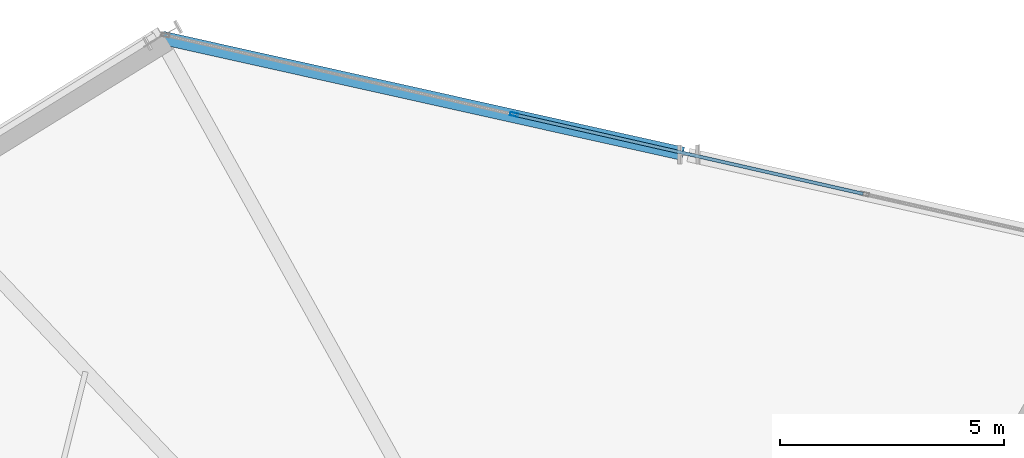
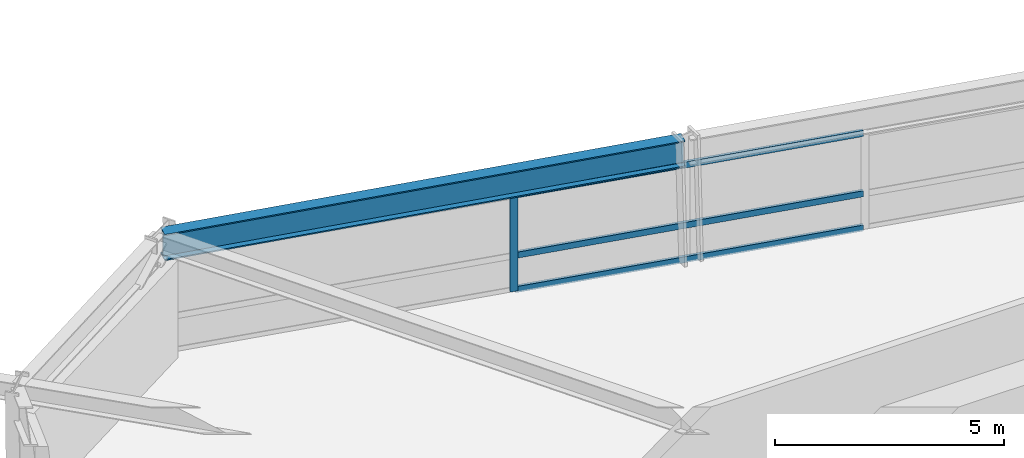
# One storey, part 10 of 23: 4 members, 1 beam, 1 element without a shape of its own.
"""IFC4 building model written with IfcOpenShell, lengths in metres."""

from ifc_helpers import new_model, si_unit, direction, frame, origin, origin_2d, place, context, subcontext, project, spatial, hollow_rectangle, i_section, extrude, source, transform, mapped, material, material_profile, profile_set, type_object, element, aggregate, save


model = new_model("IFC4")

# Units and contexts
model_context = context("Model", 3, precision=1e-05, world=origin(), true_north=direction((0.0, 1.0)))
body_context = subcontext(model_context, "Body", "Model", "MODEL_VIEW")
ifc_project = project(units=[si_unit("LENGTHUNIT", "METRE"), si_unit("AREAUNIT", "SQUARE_METRE"), si_unit("VOLUMEUNIT", "CUBIC_METRE"), si_unit("PLANEANGLEUNIT", "RADIAN"), si_unit("MASSUNIT", "GRAM", prefix="KILO")], contexts=[model_context])

# Site, building, storey
site_placement = place(None, origin())
site = spatial("IfcSite", under=ifc_project, at=site_placement, CompositionType="ELEMENT")
building_placement = place(site_placement, origin())
building = spatial("IfcBuilding", under=site, at=building_placement, Name="Olszyna Solenne Hotel", CompositionType="ELEMENT")
storey_placement = place(building_placement, frame((0.0, 0.0, 32.85009765625)))
storey = spatial("IfcBuildingStorey", under=building, at=storey_placement, Name="L07", CompositionType="ELEMENT", Elevation=32.85009765625)

# Beam
ifc_material_1 = material(Name="Steel S355J2", Category="steel")
ifc_material_profile_1 = material_profile(ifc_material_1, i_section(OverallWidth=0.300048828125, OverallDepth=0.699951171875, WebThickness=0.01708984375, FlangeThickness=0.031982421875, at=origin_2d()), Name="HEB 700", Category="load-bearing")
ifc_profile_set_1 = profile_set([ifc_material_profile_1], Name="Steel S355J2")
beam_type = type_object("IfcBeamType", Name="BM-S1", PredefinedType="BEAM", material=ifc_profile_set_1)
shared_shape_1 = source(origin(), body_context, "Body", "SweptSolid", [
    extrude(i_section(OverallWidth=0.300048828125, OverallDepth=0.699951171875, WebThickness=0.01708984375, FlangeThickness=0.031982421875, at=origin_2d()), origin(), (0.0, 0.0, 1.0), 11.89599609375),
])
beam_placement = place(storey_placement, frame((37.6962890625, 45.590087890625, 2.949951171875), z_axis=(-0.97609183643, 0.21735852147, 0.0), x_axis=(-0.21735852147, -0.97609183643, 0.0)))
element("IfcBeam", 1, at=beam_placement, inside=storey, type_object=beam_type, Name="Perimeter spandrel beam BM-S1 B-L07-0234", PredefinedType="BEAM", context=body_context, shape_type="MappedRepresentation", body=[
    mapped(shared_shape_1, transform((0.0, 0.0, 0.0), x_axis=(1.0, 0.0, 0.0), y_axis=(0.0, 1.0, 0.0), z_axis=(0.0, 0.0, 1.0), scale=1.0)),
])

# Curtain wall, members
ifc_material_2 = material(Name="Anodised bronze aluminium", Category="aluminium")
curtain_wall_type = type_object("IfcCurtainWallType", Name="CW-SYS-2", PredefinedType="NOTDEFINED", material=ifc_material_2)
curtain_wall_placement = place(storey_placement, origin())
curtain_wall = element("IfcCurtainWall", 2, at=curtain_wall_placement, inside=storey, type_object=curtain_wall_type, Name="Unitised curtain wall CW-SYS-2 CW-L07-02", PredefinedType="NOTDEFINED")
ifc_material_profile_2 = material_profile(ifc_material_2, hollow_rectangle(XDim=0.074951171875, YDim=0.179931640625, WallThickness=0.00439453125, at=origin_2d()), Name="MULL 180x75x4.5", Category="load-bearing")
ifc_profile_set_2 = profile_set([ifc_material_profile_2], Name="Anodised bronze aluminium")
member_type_1 = type_object("IfcMemberType", Name="CW-M2", PredefinedType="MULLION", material=ifc_profile_set_2)
shared_shape_2 = source(origin(), body_context, "Body", "SweptSolid", [
    extrude(hollow_rectangle(XDim=0.074951171875, YDim=0.179931640625, WallThickness=0.00439453125, at=origin_2d()), origin(), (0.0, 0.0, 1.0), 2.591796875),
])
member_1_placement = place(storey_placement, frame((33.931884765625, 46.465576171875, 0.0), z_axis=(0.0, 0.0, 1.0), x_axis=(0.221622002849, 0.975132651414, 0.0)))
member_1 = element("IfcMember", 3, at=member_1_placement, type_object=member_type_1, Name="Curtain-wall mullion CW-M2 CM-L07-02-02", PredefinedType="MULLION", context=body_context, shape_type="MappedRepresentation", body=[
    mapped(shared_shape_2, transform((0.0, 0.0, 0.0), x_axis=(1.0, 0.0, 0.0), y_axis=(0.0, 1.0, 0.0), z_axis=(0.0, 0.0, 1.0), scale=1.0)),
])
ifc_material_profile_3 = material_profile(ifc_material_2, hollow_rectangle(XDim=0.074951171875, YDim=0.159912109375, WallThickness=0.00390625, at=origin_2d()), Name="TRAN 160x75x4", Category="load-bearing")
ifc_profile_set_3 = profile_set([ifc_material_profile_3], Name="Anodised bronze aluminium")
member_type_2 = type_object("IfcMemberType", Name="CW-T1", PredefinedType="USERDEFINED", material=ifc_profile_set_3)
shared_shape_3 = source(origin(), body_context, "Body", "SweptSolid", [
    extrude(hollow_rectangle(XDim=0.074951171875, YDim=0.159912109375, WallThickness=0.00390625, at=origin_2d()), origin(), (0.0, 0.0, 1.0), 7.935546875),
])
member_2_placement = place(storey_placement, frame((33.968505859375, 46.457275390625, 0.037353515625), z_axis=(0.975130438044, -0.221631741408, 0.0), x_axis=(0.221631741408, 0.975130438044, 0.0)))
member_2 = element("IfcMember", 4, at=member_2_placement, type_object=member_type_2, Name="Curtain-wall transom CW-T1 CT-L07-02-04", ObjectType="TRANSOM", PredefinedType="USERDEFINED", context=body_context, shape_type="MappedRepresentation", body=[
    mapped(shared_shape_3, transform((0.0, 0.0, 0.0), x_axis=(1.0, 0.0, 0.0), y_axis=(0.0, 1.0, 0.0), z_axis=(0.0, 0.0, 1.0), scale=1.0)),
])
member_3_placement = place(storey_placement, frame((33.968505859375, 46.457275390625, 0.949951171875), z_axis=(0.975130438044, -0.221631741408, 0.0), x_axis=(0.221631741408, 0.975130438044, 0.0)))
member_3 = element("IfcMember", 5, at=member_3_placement, type_object=member_type_2, Name="Curtain-wall transom CW-T1 CT-L07-02-05", ObjectType="TRANSOM", PredefinedType="USERDEFINED", context=body_context, shape_type="MappedRepresentation", body=[
    mapped(shared_shape_3, transform((0.0, 0.0, 0.0), x_axis=(1.0, 0.0, 0.0), y_axis=(0.0, 1.0, 0.0), z_axis=(0.0, 0.0, 1.0), scale=1.0)),
])
member_4_placement = place(storey_placement, frame((33.968505859375, 46.457275390625, 2.554443359375), z_axis=(0.975130438044, -0.221631741408, 0.0), x_axis=(0.221631741408, 0.975130438044, 0.0)))
member_4 = element("IfcMember", 6, at=member_4_placement, type_object=member_type_2, Name="Curtain-wall transom CW-T1 CT-L07-02-06", ObjectType="TRANSOM", PredefinedType="USERDEFINED", context=body_context, shape_type="MappedRepresentation", body=[
    mapped(shared_shape_3, transform((0.0, 0.0, 0.0), x_axis=(1.0, 0.0, 0.0), y_axis=(0.0, 1.0, 0.0), z_axis=(0.0, 0.0, 1.0), scale=1.0)),
])
aggregate(curtain_wall, [member_1, member_2, member_3, member_4])

save(model, "model.ifc")
